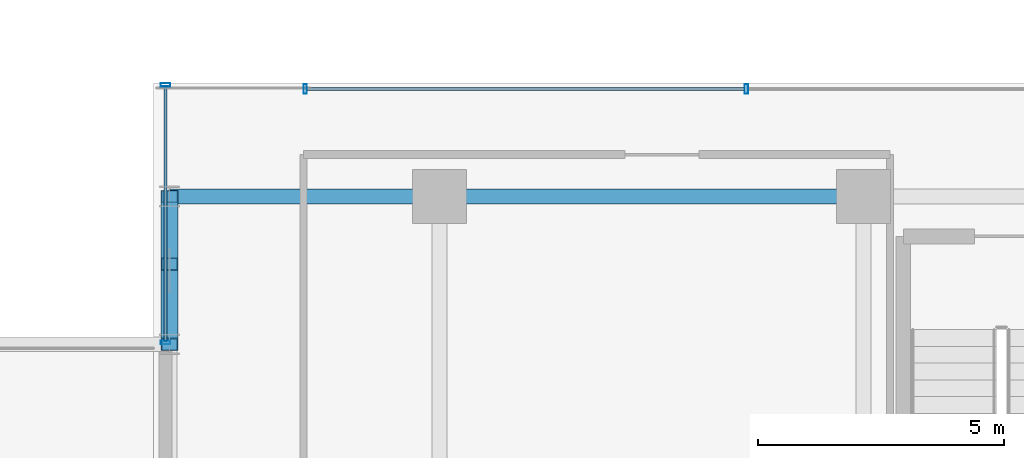
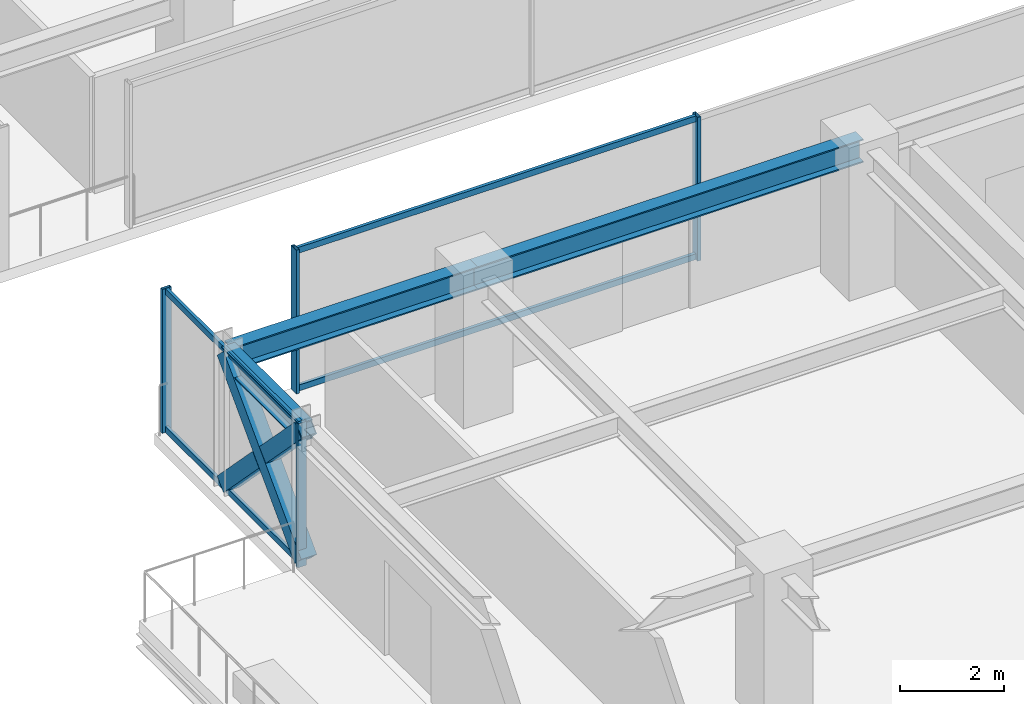
# One storey, part 7 of 36: 11 members, 3 beams, 2 elements without a shape of their own.
"""IFC4 building model written with IfcOpenShell, lengths in metres."""

from ifc_helpers import new_model, si_unit, direction, frame, origin, origin_2d, place, context, subcontext, project, spatial, hollow_rectangle, i_section, extrude, source, transform, mapped, material, material_profile, profile_set, type_object, element, aggregate, save


model = new_model("IFC4")

# Units and contexts
model_context = context("Model", 3, precision=1e-05, world=origin(), true_north=direction((0.0, 1.0)))
body_context = subcontext(model_context, "Body", "Model", "MODEL_VIEW")
ifc_project = project(units=[si_unit("LENGTHUNIT", "METRE"), si_unit("AREAUNIT", "SQUARE_METRE"), si_unit("VOLUMEUNIT", "CUBIC_METRE"), si_unit("PLANEANGLEUNIT", "RADIAN"), si_unit("MASSUNIT", "GRAM", prefix="KILO")], contexts=[model_context])

# Site, building, storey
site_placement = place(None, origin())
site = spatial("IfcSite", under=ifc_project, at=site_placement, CompositionType="ELEMENT")
building_placement = place(site_placement, origin())
building = spatial("IfcBuilding", under=site, at=building_placement, Name="Nahalor Promenade Grand Hotel", CompositionType="ELEMENT")
storey_placement = place(building_placement, frame((0.0, 0.0, 170.89990234375)))
storey = spatial("IfcBuildingStorey", under=building, at=storey_placement, Name="L43", CompositionType="ELEMENT", Elevation=170.89990234375)

# Beams
ifc_material_1 = material(Name="Steel S355JR", Category="steel")
ifc_material_profile_1 = material_profile(ifc_material_1, i_section(OverallWidth=0.3, OverallDepth=0.55, WebThickness=0.015, FlangeThickness=0.029, at=origin_2d()), Name="HEB 550")
ifc_profile_set_1 = profile_set([ifc_material_profile_1], Name="Steel S355JR")
beam_type_1 = type_object("IfcBeamType", Name="Beam-Girder-HEB550", PredefinedType="BEAM", material=ifc_profile_set_1)
shared_shape_1 = source(origin(), body_context, "Body", "SweptSolid", [
    extrude(i_section(OverallWidth=0.3, OverallDepth=0.55, WebThickness=0.015, FlangeThickness=0.029, at=origin_2d()), origin(), (0.0, 0.0, 1.0), 8.60009765625),
])
beam_1_placement = place(storey_placement, frame((-17.0, -5.39990234375, 3.114990234375), z_axis=(1.0, 0.0, 0.0), x_axis=(0.0, 1.0, 0.0)))
element("IfcBeam", 1, at=beam_1_placement, inside=storey, type_object=beam_type_1, Name="BM-L43-GX-1-1", PredefinedType="BEAM", context=body_context, shape_type="MappedRepresentation", body=[
    mapped(shared_shape_1, transform((0.0, 0.0, 0.0), scale=1.0)),
])
shared_shape_2 = source(origin(), body_context, "Body", "SweptSolid", [
    extrude(i_section(OverallWidth=0.3, OverallDepth=0.55, WebThickness=0.015, FlangeThickness=0.029, at=origin_2d()), origin(), (0.0, 0.0, 1.0), 5.47998046875),
])
beam_2_placement = place(storey_placement, frame((-22.47998046875, -5.39990234375, 3.114990234375), z_axis=(1.0, 0.0, 0.0), x_axis=(0.0, 1.0, 0.0)))
element("IfcBeam", 2, at=beam_2_placement, inside=storey, type_object=beam_type_1, Name="BM-L43-GX-1-0", PredefinedType="BEAM", context=body_context, shape_type="MappedRepresentation", body=[
    mapped(shared_shape_2, transform((0.0, 0.0, 0.0), scale=1.0)),
])
ifc_material_profile_2 = material_profile(ifc_material_1, i_section(OverallWidth=0.3, OverallDepth=0.45, WebThickness=0.014, FlangeThickness=0.026, at=origin_2d()), Name="HEB 450")
ifc_profile_set_2 = profile_set([ifc_material_profile_2], Name="Steel S355JR")
beam_type_2 = type_object("IfcBeamType", Name="Beam-Spandrel-HEB450", PredefinedType="SPANDREL", material=ifc_profile_set_2)
shared_shape_3 = source(origin(), body_context, "Body", "SweptSolid", [
    extrude(i_section(OverallWidth=0.3, OverallDepth=0.45, WebThickness=0.014, FlangeThickness=0.026, at=origin_2d()), origin(), (0.0, 0.0, 1.0), 3.0),
])
beam_3_placement = place(storey_placement, frame((-22.47998046875, -8.39990234375, 3.1650390625), z_axis=(0.0, 1.0, 0.0), x_axis=(-1.0, 0.0, 0.0)))
element("IfcBeam", 3, at=beam_3_placement, inside=storey, type_object=beam_type_2, Name="BM-L43-SP-W-1", PredefinedType="SPANDREL", context=body_context, shape_type="MappedRepresentation", body=[
    mapped(shared_shape_3, transform((0.0, 0.0, 0.0), scale=1.0)),
])

# Members
ifc_material_profile_3 = material_profile(ifc_material_1, hollow_rectangle(XDim=0.35, YDim=0.35, WallThickness=0.02, at=origin_2d()), Name="SHS 350x350x20")
ifc_profile_set_3 = profile_set([ifc_material_profile_3], Name="Steel S355JR")
member_type_1 = type_object("IfcMemberType", Name="Mem-VoidBrace-SHS350", PredefinedType="BRACE", material=ifc_profile_set_3)
shared_shape_4 = source(origin(), body_context, "Body", "SweptSolid", [
    extrude(hollow_rectangle(XDim=0.35, YDim=0.35, WallThickness=0.02, at=origin_2d()), origin(), (0.0, 0.0, 1.0), 4.306640625),
])
member_1_placement = place(storey_placement, frame((-22.47998046875, -8.39990234375, 0.150146484375), z_axis=(0.0, 0.696598997639, 0.717460686371), x_axis=(-1.0, 0.0, 0.0)))
element("IfcMember", 4, at=member_1_placement, inside=storey, type_object=member_type_1, Name="EXO-L43-VX1-W0", PredefinedType="BRACE", context=body_context, shape_type="MappedRepresentation", body=[
    mapped(shared_shape_4, transform((0.0, 0.0, 0.0), scale=1.0)),
])
shared_shape_5 = source(origin(), body_context, "Body", "SweptSolid", [
    extrude(hollow_rectangle(XDim=0.35, YDim=0.35, WallThickness=0.02, at=origin_2d()), origin(), (0.0, 0.0, 1.0), 1.96630859375),
])
member_2_placement = place(storey_placement, frame((-22.47998046875, -5.39990234375, 0.150146484375), z_axis=(0.0, -0.696663391113, 0.71739815966), x_axis=(1.0, 0.0, 0.0)))
element("IfcMember", 5, at=member_2_placement, inside=storey, type_object=member_type_1, Name="EXO-L43-VX2-W0A", PredefinedType="BRACE", context=body_context, shape_type="MappedRepresentation", body=[
    mapped(shared_shape_5, transform((0.0, 0.0, 0.0), scale=1.0)),
])
shared_shape_6 = source(origin(), body_context, "Body", "SweptSolid", [
    extrude(hollow_rectangle(XDim=0.35, YDim=0.35, WallThickness=0.02, at=origin_2d()), origin(), (0.0, 0.0, 1.0), 1.966064453125),
])
member_3_placement = place(storey_placement, frame((-22.47998046875, -7.0302734375, 1.829345703125), z_axis=(0.0, -0.696599482471, 0.717460215636), x_axis=(1.0, 0.0, 0.0)))
element("IfcMember", 6, at=member_3_placement, inside=storey, type_object=member_type_1, Name="EXO-L43-VX2-W0B", PredefinedType="BRACE", context=body_context, shape_type="MappedRepresentation", body=[
    mapped(shared_shape_6, transform((0.0, 0.0, 0.0), scale=1.0)),
])

# Curtain wall, members
ifc_material_2 = material(Name="Anodised Bronze Aluminium EN AW-6063 T6", Category="aluminium")
curtain_wall_type = type_object("IfcCurtainWallType", Name="CW3 Elliptical-Void Collar Unitised Curtain Wall", PredefinedType="USERDEFINED", material=ifc_material_2)
curtain_wall_1_placement = place(storey_placement, origin())
curtain_wall_1 = element("IfcCurtainWall", 7, at=curtain_wall_1_placement, inside=storey, type_object=curtain_wall_type, Name="L43 Curtain Wall CW-L43-W-3", ObjectType="UNITISED_CURTAIN_WALL", PredefinedType="USERDEFINED")
ifc_material_profile_4 = material_profile(ifc_material_2, hollow_rectangle(XDim=0.07, YDim=0.14, WallThickness=0.004, at=origin_2d()), Name="CWT 70x140x4")
ifc_profile_set_4 = profile_set([ifc_material_profile_4], Name="Anodised Bronze Aluminium EN AW-6063 T6")
member_type_2 = type_object("IfcMemberType", Name="CWT3 Void Collar Transom 70x140", PredefinedType="USERDEFINED", material=ifc_profile_set_4)
shared_shape_7 = source(origin(), body_context, "Body", "SweptSolid", [
    extrude(hollow_rectangle(XDim=0.07, YDim=0.14, WallThickness=0.004, at=origin_2d()), origin(), (0.0, 0.0, 1.0), 5.16015625),
])
member_4_placement = place(storey_placement, frame((-22.56005859375, -8.330078125, 0.070068359375), z_axis=(0.0, 1.0, 0.0), x_axis=(-1.0, 0.0, 0.0)))
member_4 = element("IfcMember", 8, at=member_4_placement, type_object=member_type_2, Name="CW-L43-W-3 Transom 0-0", ObjectType="TRANSOM", PredefinedType="USERDEFINED", context=body_context, shape_type="MappedRepresentation", body=[
    mapped(shared_shape_7, transform((0.0, 0.0, 0.0), scale=1.0)),
])
member_5_placement = place(storey_placement, frame((-22.56005859375, -8.330078125, 3.320068359375), z_axis=(0.0, 1.0, 0.0), x_axis=(-1.0, 0.0, 0.0)))
member_5 = element("IfcMember", 9, at=member_5_placement, type_object=member_type_2, Name="CW-L43-W-3 Transom 0-1", ObjectType="TRANSOM", PredefinedType="USERDEFINED", context=body_context, shape_type="MappedRepresentation", body=[
    mapped(shared_shape_7, transform((0.0, 0.0, 0.0), scale=1.0)),
])
ifc_material_profile_5 = material_profile(ifc_material_2, hollow_rectangle(XDim=0.07, YDim=0.2, WallThickness=0.005, at=origin_2d()), Name="CWM 70x200x5")
ifc_profile_set_5 = profile_set([ifc_material_profile_5], Name="Anodised Bronze Aluminium EN AW-6063 T6")
member_type_3 = type_object("IfcMemberType", Name="CWM3 Void Collar Mullion 70x200", PredefinedType="MULLION", material=ifc_profile_set_5)
shared_shape_8 = source(origin(), body_context, "Body", "SweptSolid", [
    extrude(hollow_rectangle(XDim=0.07, YDim=0.2, WallThickness=0.005, at=origin_2d()), origin(), (0.0, 0.0, 1.0), 3.39013671875),
])
member_6_placement = place(storey_placement, frame((-22.56005859375, -8.364990234375, 0.0), z_axis=(0.0, 0.0, 1.0), x_axis=(0.0, 1.0, 0.0)))
member_6 = element("IfcMember", 10, at=member_6_placement, type_object=member_type_3, Name="CW-L43-W-3 Mullion 0", PredefinedType="MULLION", context=body_context, shape_type="MappedRepresentation", body=[
    mapped(shared_shape_8, transform((0.0, 0.0, 0.0), scale=1.0)),
])
member_7_placement = place(storey_placement, frame((-22.56005859375, -3.135009765625, 0.0), z_axis=(0.0, 0.0, 1.0), x_axis=(0.0, 1.0, 0.0)))
member_7 = element("IfcMember", 11, at=member_7_placement, type_object=member_type_3, Name="CW-L43-W-3 Mullion 1", PredefinedType="MULLION", context=body_context, shape_type="MappedRepresentation", body=[
    mapped(shared_shape_8, transform((0.0, 0.0, 0.0), scale=1.0)),
])
aggregate(curtain_wall_1, [member_6, member_7, member_4, member_5])

curtain_wall_2_placement = place(storey_placement, origin())
curtain_wall_2 = element("IfcCurtainWall", 12, at=curtain_wall_2_placement, inside=storey, type_object=curtain_wall_type, Name="L43 Curtain Wall CW-L43-VOID-WS1", ObjectType="UNITISED_CURTAIN_WALL", PredefinedType="USERDEFINED")
member_8_placement = place(storey_placement, frame((-19.72509765625, -3.219970703125, 0.0), z_axis=(0.0, 0.0, 1.0), x_axis=(1.0, 0.0, 0.0)))
member_8 = element("IfcMember", 13, at=member_8_placement, type_object=member_type_3, Name="CW-L43-VOID-WS1 Mullion 0", PredefinedType="MULLION", context=body_context, shape_type="MappedRepresentation", body=[
    mapped(shared_shape_8, transform((0.0, 0.0, 0.0), scale=1.0)),
])
member_9_placement = place(storey_placement, frame((-10.7734375, -3.219970703125, 0.0), z_axis=(0.0, 0.0, 1.0), x_axis=(1.0, 0.0, 0.0)))
member_9 = element("IfcMember", 14, at=member_9_placement, type_object=member_type_3, Name="CW-L43-VOID-WS1 Mullion 1", PredefinedType="MULLION", context=body_context, shape_type="MappedRepresentation", body=[
    mapped(shared_shape_8, transform((0.0, 0.0, 0.0), scale=1.0)),
])
shared_shape_9 = source(origin(), body_context, "Body", "SweptSolid", [
    extrude(hollow_rectangle(XDim=0.07, YDim=0.14, WallThickness=0.004, at=origin_2d()), origin(), (0.0, 0.0, 1.0), 8.881591796875),
])
member_10_placement = place(storey_placement, frame((-19.68994140625, -3.219970703125, 0.070068359375), z_axis=(1.0, 0.0, 0.0), x_axis=(0.0, 1.0, 0.0)))
member_10 = element("IfcMember", 15, at=member_10_placement, type_object=member_type_2, Name="CW-L43-VOID-WS1 Transom 0-0", ObjectType="TRANSOM", PredefinedType="USERDEFINED", context=body_context, shape_type="MappedRepresentation", body=[
    mapped(shared_shape_9, transform((0.0, 0.0, 0.0), scale=1.0)),
])
member_11_placement = place(storey_placement, frame((-19.68994140625, -3.219970703125, 3.320068359375), z_axis=(1.0, 0.0, 0.0), x_axis=(0.0, 1.0, 0.0)))
member_11 = element("IfcMember", 16, at=member_11_placement, type_object=member_type_2, Name="CW-L43-VOID-WS1 Transom 0-1", ObjectType="TRANSOM", PredefinedType="USERDEFINED", context=body_context, shape_type="MappedRepresentation", body=[
    mapped(shared_shape_9, transform((0.0, 0.0, 0.0), scale=1.0)),
])
aggregate(curtain_wall_2, [member_8, member_9, member_10, member_11])

save(model, "model.ifc")
